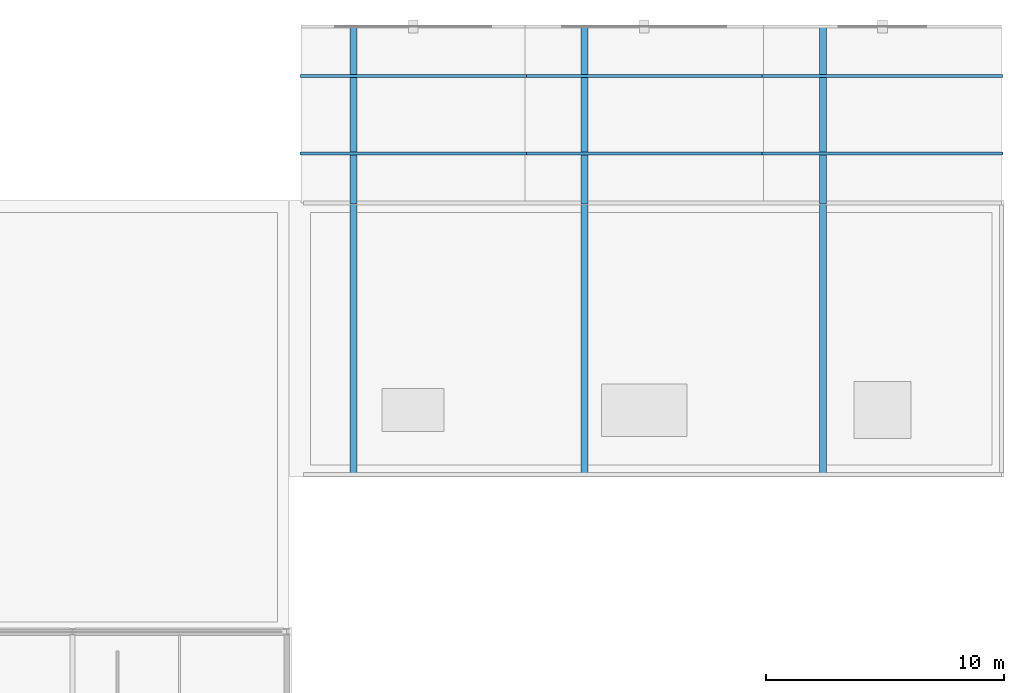
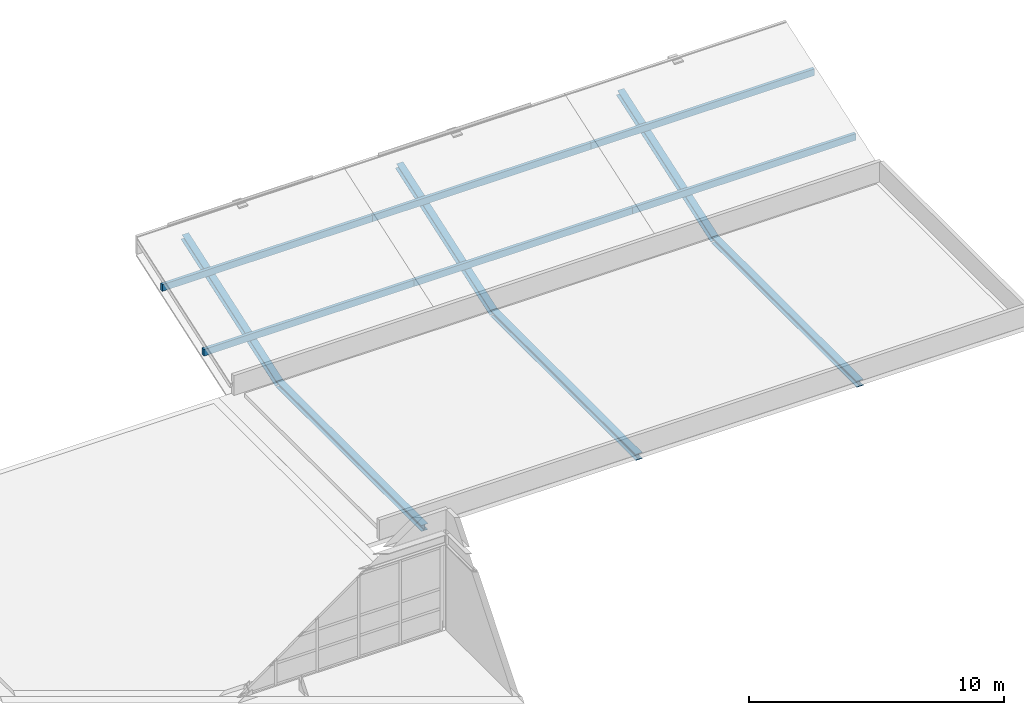
# One storey, part 28 of 38: 12 members.
"""IFC4 building model written with IfcOpenShell, lengths in metres."""

import ifcopenshell
import ifcopenshell.guid

model = None  # the IFC model being written
_history = None  # IfcOwnerHistory: only IFC2X3 demands one
_inside = {}  # id of a spatial element -> (the spatial element, [elements in it])
_under = {}  # id of a project, library or spatial element -> (it, [spatial elements below it])
_declared = {}  # id of a project -> (the project, [libraries it declares])
_typed = {}  # id of a type object -> (the type object, [elements of that type])
_made_of = {}  # id of a material, layer set ... -> (it, [elements and type objects made of it])


def new_model(schema):
    """Start an empty IFC model of exactly this schema.

    Asked for "IFC4X3", IfcOpenShell would pick the latest addendum, in which some entities
    have other attributes; the version numbers below select the first issue.
    IFC2X3 requires an IfcOwnerHistory on every rooted entity: one is made here for all.
    """
    global model, _history
    if schema == "IFC4X3":
        model = ifcopenshell.file(schema_version=(4, 3, 0, 0))
    else:
        model = ifcopenshell.file(schema=schema)
    _inside.clear()
    _under.clear()
    _declared.clear()
    _typed.clear()
    _made_of.clear()
    _history = None
    if model.schema == "IFC2X3":
        org = make("IfcOrganization", Name="unknown")
        user = make(
            "IfcPersonAndOrganization",
            ThePerson=make("IfcPerson", FamilyName="unknown"),
            TheOrganization=org,
        )
        app = make(
            "IfcApplication",
            ApplicationDeveloper=org,
            Version="unknown",
            ApplicationFullName="unknown",
            ApplicationIdentifier="unknown",
        )
        _history = make(
            "IfcOwnerHistory",
            OwningUser=user,
            OwningApplication=app,
            ChangeAction="ADDED",
            CreationDate=0,
        )
    return model


def make(cls, **values):
    """One entity of the class cls with the attributes given. An attribute that is None is left unset."""
    return model.create_entity(
        cls, **{name: value for name, value in values.items() if value is not None}
    )


def rooted(cls, **values):
    """An entity with a GlobalId (a new one), such as an element, a storey or a relation."""
    return make(cls, GlobalId=ifcopenshell.guid.new(), OwnerHistory=_history, **values)


def si_unit(unit_type, name, prefix=None):
    """IfcSIUnit, for example si_unit("LENGTHUNIT", "METRE", prefix="MILLI")."""
    return make("IfcSIUnit", UnitType=unit_type, Prefix=prefix, Name=name)


def assignment(units):
    """IfcUnitAssignment: the units of a project."""
    return None if units is None else make("IfcUnitAssignment", Units=units)


def point(xyz):
    """IfcCartesianPoint."""
    return None if xyz is None else make("IfcCartesianPoint", Coordinates=xyz)


def direction(xyz):
    """IfcDirection."""
    return None if xyz is None else make("IfcDirection", DirectionRatios=xyz)


def frame(location, z_axis=None, x_axis=None):
    """IfcAxis2Placement3D, a coordinate frame: its origin and axes. An axis left out is left unset."""
    return make(
        "IfcAxis2Placement3D",
        Location=point(location),
        Axis=direction(z_axis),
        RefDirection=direction(x_axis),
    )


def frame_2d(location, x_axis=None):
    """IfcAxis2Placement2D, a coordinate frame in the plane: its origin and x axis."""
    return make(
        "IfcAxis2Placement2D", Location=point(location), RefDirection=direction(x_axis)
    )


def origin():
    """The frame at (0, 0, 0) with its axes left unset."""
    return frame((0.0, 0.0, 0.0))


def origin_2d():
    """The frame at (0, 0) in the plane with its x axis left unset."""
    return frame_2d((0.0, 0.0))


def place(relative_to, where):
    """IfcLocalPlacement: puts the frame where relative to a parent placement (None: the world)."""
    return make(
        "IfcLocalPlacement", PlacementRelTo=relative_to, RelativePlacement=where
    )


def context(
    kind, dimensions, precision=None, world=None, true_north=None, identifier=None
):
    """IfcGeometricRepresentationContext, for example the 3D "Model" context."""
    return make(
        "IfcGeometricRepresentationContext",
        ContextIdentifier=identifier,
        ContextType=kind,
        CoordinateSpaceDimension=dimensions,
        Precision=precision,
        WorldCoordinateSystem=world,
        TrueNorth=true_north,
    )


def subcontext(parent, identifier, kind, view, scale=None):
    """IfcGeometricRepresentationSubContext, for example "Body" below "Model"."""
    return make(
        "IfcGeometricRepresentationSubContext",
        ContextIdentifier=identifier,
        ContextType=kind,
        ParentContext=parent,
        TargetScale=scale,
        TargetView=view,
    )


def project(units=None, contexts=None):
    """IfcProject with its units and contexts."""
    return rooted(
        "IfcProject",
        Name="project",
        RepresentationContexts=contexts,
        UnitsInContext=assignment(units),
    )


def spatial(cls, under=None, at=None, **own):
    """A site, building, storey or space (cls), placed at a placement, below another one or the project."""
    s = rooted(cls, ObjectPlacement=at, **own)
    if under is not None:
        _under.setdefault(under.id(), (under, []))[1].append(s)
    return s


def profile(cls, at=None, kind="AREA", **sizes):
    """A parametric profile (cls). Its sizes go by their IFC names, for example OverallWidth=200.0."""
    return make(cls, ProfileType=kind, Position=at, **sizes)


def rectangle(**sizes):
    """IfcRectangleProfileDef."""
    return profile("IfcRectangleProfileDef", **sizes)


def i_section(**sizes):
    """IfcIShapeProfileDef."""
    return profile("IfcIShapeProfileDef", **sizes)


def extrude(swept, where, along, depth):
    """IfcExtrudedAreaSolid: the profile swept, set in the frame where, extruded along a direction by depth."""
    return make(
        "IfcExtrudedAreaSolid",
        SweptArea=swept,
        Position=where,
        ExtrudedDirection=direction(along),
        Depth=depth,
    )


def shape(context_of_items, identifier, shape_type, items):
    """IfcShapeRepresentation: the items that make up one representation, for example the "Body"."""
    return make(
        "IfcShapeRepresentation",
        ContextOfItems=context_of_items,
        RepresentationIdentifier=identifier,
        RepresentationType=shape_type,
        Items=items,
    )


def material(Name=None, Category=None):
    """IfcMaterial."""
    return make("IfcMaterial", Name=Name, Category=Category)


def material_profile(
    of_material, cross_section, Name=None, Category=None, Priority=None
):
    """IfcMaterialProfile: a cross section and its material."""
    return make(
        "IfcMaterialProfile",
        Name=Name,
        Material=of_material,
        Profile=cross_section,
        Priority=Priority,
        Category=Category,
    )


def profile_set(profiles, Name=None, composite=None):
    """IfcMaterialProfileSet."""
    return make(
        "IfcMaterialProfileSet",
        Name=Name,
        MaterialProfiles=profiles,
        CompositeProfile=composite,
    )


def made_of(thing, what):
    """Note that an element or type object is made of a material, layer set ...; save() writes the relation."""
    if what is not None:
        _made_of.setdefault(what.id(), (what, []))[1].append(thing)
    return thing


def type_object(cls, material=None, **own):
    """A type object (cls), such as IfcWallType, which elements share."""
    return made_of(rooted(cls, **own), material)


def element(
    cls,
    number,
    at=None,
    inside=None,
    cuts=None,
    type_object=None,
    material=None,
    context=None,
    identifier="Body",
    shape_type=None,
    held_by="IfcProductDefinitionShape",
    body=None,
    shapes=None,
    **own,
):
    """One element of the class cls, such as IfcWall. Its Tag is "e" and its number.

    at: its placement. inside: the storey or other place that contains it. cuts: it is an
    opening in that element (IfcRelVoidsElement). A single representation is given by context,
    identifier, shape_type and body (its items); several are given by shapes. held_by: the class
    of the entity that holds the representations. save() writes the other relations.
    """
    e = rooted(cls, Tag="e%d" % number, ObjectPlacement=at, **own)
    if body is not None:
        shapes = [shape(context, identifier, shape_type, body)]
    if shapes is not None:
        e.Representation = make(held_by, Representations=shapes)
    if inside is not None:
        _inside.setdefault(inside.id(), (inside, []))[1].append(e)
    if cuts is not None:
        rooted(
            "IfcRelVoidsElement", RelatingBuildingElement=cuts, RelatedOpeningElement=e
        )
    if type_object is not None:
        _typed.setdefault(type_object.id(), (type_object, []))[1].append(e)
    return made_of(e, material)


def aggregate(whole, parts):
    """IfcRelAggregates: a whole, such as a stair, and the parts it consists of."""
    return rooted("IfcRelAggregates", RelatingObject=whole, RelatedObjects=parts)


def save(model, path):
    """Write the relations noted so far, then the file.

    IfcRelAggregates (storeys below a building ...), IfcRelContainedInSpatialStructure (elements
    in a storey), IfcRelDefinesByType, IfcRelAssociatesMaterial and IfcRelDeclares: one each for
    every whole, place, type object, material and project.
    """
    for whole, parts in _under.values():
        aggregate(whole, parts)
    for where, things in _inside.values():
        rooted(
            "IfcRelContainedInSpatialStructure",
            RelatedElements=things,
            RelatingStructure=where,
        )
    for kind, things in _typed.values():
        rooted("IfcRelDefinesByType", RelatedObjects=things, RelatingType=kind)
    for what, things in _made_of.values():
        rooted("IfcRelAssociatesMaterial", RelatedObjects=things, RelatingMaterial=what)
    for by, libraries in _declared.values():
        rooted("IfcRelDeclares", RelatingContext=by, RelatedDefinitions=libraries)
    model.write(path)


model = new_model("IFC4")

# Units and contexts
model_context = context("Model", 3, precision=1e-05, world=origin(), true_north=direction((0.0, 1.0)))
body_context = subcontext(model_context, "Body", "Model", "MODEL_VIEW")
ifc_project = project(units=[si_unit("LENGTHUNIT", "METRE"), si_unit("AREAUNIT", "SQUARE_METRE"), si_unit("VOLUMEUNIT", "CUBIC_METRE"), si_unit("PLANEANGLEUNIT", "RADIAN"), si_unit("MASSUNIT", "GRAM", prefix="KILO")], contexts=[model_context])

# Site, building, storey
site_placement = place(None, origin())
site = spatial("IfcSite", under=ifc_project, at=site_placement, CompositionType="ELEMENT")
building_placement = place(site_placement, origin())
building = spatial("IfcBuilding", under=site, at=building_placement, Name="Kaldris Quays Convention Centre", CompositionType="ELEMENT")
storey_placement = place(building_placement, frame((0.0, 0.0, 21.60009765625)))
storey = spatial("IfcBuildingStorey", under=building, at=storey_placement, Name="L04", CompositionType="ELEMENT", Elevation=21.60009765625)

# Members
ifc_material_1 = material(Name="Glulam GL28h", Category="wood")
ifc_material_profile_1 = material_profile(ifc_material_1, rectangle(XDim=0.139892578125, YDim=0.320068359375, at=origin_2d()), Name="GL 140x320")
ifc_profile_set_1 = profile_set([ifc_material_profile_1], Name="Glulam GL28h")
member_type_1 = type_object("IfcMemberType", Name="STRUCTURAL MEMBER PR02", PredefinedType="PURLIN", material=ifc_profile_set_1)
for number, where, z_axis, x_axis, name in (
    (1, (164.550048828125, 118.072021484375, 0.831298828125), (1.0, 0.0, 0.0), (0.0, 1.0, 0.0), "WR-NORTHEAST Glulam Wing Purlin 1"),
    (2, (164.550048828125, 121.327880859375, 1.952392578125), (1.0, 0.0, 0.0), (0.0, 1.0, 0.0), "WR-NORTHEAST Glulam Wing Purlin 1"),
):
    element("IfcMember", number, at=place(storey_placement, frame(where, z_axis=z_axis, x_axis=x_axis)), inside=storey, type_object=member_type_1, Name=name, PredefinedType="PURLIN", context=body_context, shape_type="SweptSolid", body=[
        extrude(rectangle(XDim=0.139892578125, YDim=0.320068359375, at=origin_2d()), origin(), (0.0, 0.0, 1.0), 9.5),
    ])
for number, where, z_axis, x_axis, name in (
    (3, (173.949951171875, 118.072021484375, 0.831298828125), (1.0, 0.0, 0.0), (0.0, 1.0, 0.0), "WR-NORTHEAST Glulam Wing Purlin 2"),
    (4, (173.949951171875, 121.327880859375, 1.952392578125), (1.0, 0.0, 0.0), (0.0, 1.0, 0.0), "WR-NORTHEAST Glulam Wing Purlin 2"),
    (5, (183.949951171875, 118.072021484375, 0.831298828125), (1.0, 0.0, 0.0), (0.0, 1.0, 0.0), "WR-NORTHEAST Glulam Wing Purlin 3"),
    (6, (183.949951171875, 121.327880859375, 1.952392578125), (1.0, 0.0, 0.0), (0.0, 1.0, 0.0), "WR-NORTHEAST Glulam Wing Purlin 3"),
):
    element("IfcMember", number, at=place(storey_placement, frame(where, z_axis=z_axis, x_axis=x_axis)), inside=storey, type_object=member_type_1, Name=name, PredefinedType="PURLIN", context=body_context, shape_type="SweptSolid", body=[
        extrude(rectangle(XDim=0.139892578125, YDim=0.320068359375, at=origin_2d()), origin(), (0.0, 0.0, 1.0), 10.10009765625),
    ])
ifc_material_2 = material(Name="Steel S355J2", Category="steel")
ifc_material_profile_2 = material_profile(ifc_material_2, i_section(OverallWidth=0.300048828125, OverallDepth=0.2900390625, WebThickness=0.008544921875, FlangeThickness=0.013916015625, FilletRadius=0.027099609375, at=origin_2d()), Name="HEA 300")
ifc_profile_set_2 = profile_set([ifc_material_profile_2], Name="Steel S355J2")
member_type_2 = type_object("IfcMemberType", Name="STRUCTURAL MEMBER WRF2", PredefinedType="RAFTER", material=ifc_profile_set_2)
member_1_placement = place(storey_placement, frame((166.800048828125, 104.60009765625, -0.18017578125), z_axis=(0.0, 1.0, 0.0), x_axis=(-1.0, 0.0, 0.0)))
element("IfcMember", 7, at=member_1_placement, inside=storey, type_object=member_type_2, Name="WR-NORTHEAST Wing Rafter Backspan 1", PredefinedType="RAFTER", context=body_context, shape_type="SweptSolid", body=[
    extrude(i_section(OverallWidth=0.300048828125, OverallDepth=0.2900390625, WebThickness=0.008544921875, FlangeThickness=0.013916015625, FilletRadius=0.027099609375, at=origin_2d()), origin(), (0.0, 0.0, 1.0), 11.39990234375),
])
member_2_placement = place(storey_placement, frame((166.800048828125, 116.0, -0.18017578125), z_axis=(0.0, 0.945514445959, 0.325580147558), x_axis=(-1.0, 0.0, 0.0)))
element("IfcMember", 8, at=member_2_placement, inside=storey, type_object=member_type_2, Name="WR-NORTHEAST Wing Cantilever Rafter 1", PredefinedType="RAFTER", context=body_context, shape_type="SweptSolid", body=[
    extrude(i_section(OverallWidth=0.300048828125, OverallDepth=0.2900390625, WebThickness=0.008544921875, FlangeThickness=0.013916015625, FilletRadius=0.027099609375, at=origin_2d()), origin(), (0.0, 0.0, 1.0), 7.826416015625),
])
member_3_placement = place(storey_placement, frame((176.5, 104.60009765625, -0.18017578125), z_axis=(0.0, 1.0, 0.0), x_axis=(-1.0, 0.0, 0.0)))
element("IfcMember", 9, at=member_3_placement, inside=storey, type_object=member_type_2, Name="WR-NORTHEAST Wing Rafter Backspan 2", PredefinedType="RAFTER", context=body_context, shape_type="SweptSolid", body=[
    extrude(i_section(OverallWidth=0.300048828125, OverallDepth=0.2900390625, WebThickness=0.008544921875, FlangeThickness=0.013916015625, FilletRadius=0.027099609375, at=origin_2d()), origin(), (0.0, 0.0, 1.0), 11.39990234375),
])
member_4_placement = place(storey_placement, frame((176.5, 116.0, -0.18017578125), z_axis=(0.0, 0.945514445959, 0.325580147558), x_axis=(-1.0, 0.0, 0.0)))
element("IfcMember", 10, at=member_4_placement, inside=storey, type_object=member_type_2, Name="WR-NORTHEAST Wing Cantilever Rafter 2", PredefinedType="RAFTER", context=body_context, shape_type="SweptSolid", body=[
    extrude(i_section(OverallWidth=0.300048828125, OverallDepth=0.2900390625, WebThickness=0.008544921875, FlangeThickness=0.013916015625, FilletRadius=0.027099609375, at=origin_2d()), origin(), (0.0, 0.0, 1.0), 7.826416015625),
])
member_5_placement = place(storey_placement, frame((186.5, 104.60009765625, -0.18017578125), z_axis=(0.0, 1.0, 0.0), x_axis=(-1.0, 0.0, 0.0)))
element("IfcMember", 11, at=member_5_placement, inside=storey, type_object=member_type_2, Name="WR-NORTHEAST Wing Rafter Backspan 3", PredefinedType="RAFTER", context=body_context, shape_type="SweptSolid", body=[
    extrude(i_section(OverallWidth=0.300048828125, OverallDepth=0.2900390625, WebThickness=0.008544921875, FlangeThickness=0.013916015625, FilletRadius=0.027099609375, at=origin_2d()), origin(), (0.0, 0.0, 1.0), 11.39990234375),
])
member_6_placement = place(storey_placement, frame((186.5, 116.0, -0.18017578125), z_axis=(0.0, 0.945514445959, 0.325580147558), x_axis=(-1.0, 0.0, 0.0)))
element("IfcMember", 12, at=member_6_placement, inside=storey, type_object=member_type_2, Name="WR-NORTHEAST Wing Cantilever Rafter 3", PredefinedType="RAFTER", context=body_context, shape_type="SweptSolid", body=[
    extrude(i_section(OverallWidth=0.300048828125, OverallDepth=0.2900390625, WebThickness=0.008544921875, FlangeThickness=0.013916015625, FilletRadius=0.027099609375, at=origin_2d()), origin(), (0.0, 0.0, 1.0), 7.826416015625),
])

save(model, "model.ifc")
